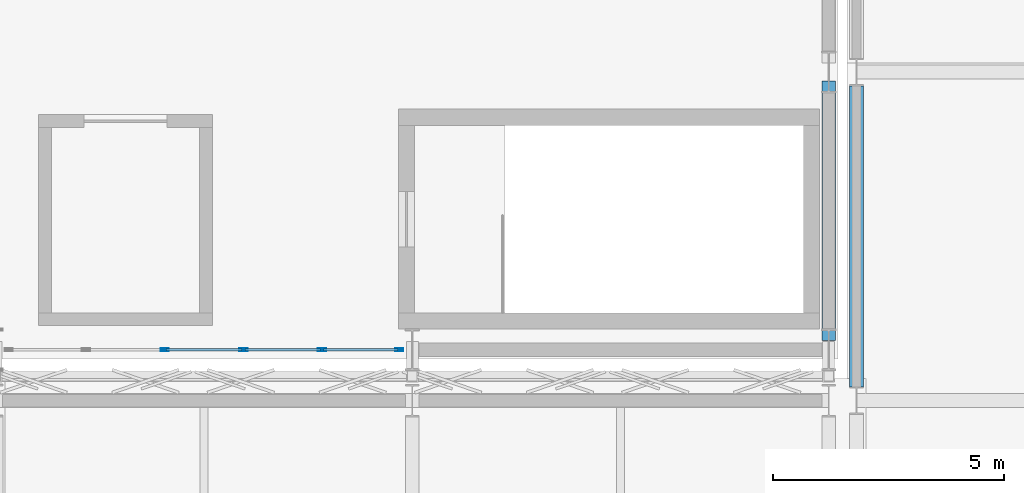
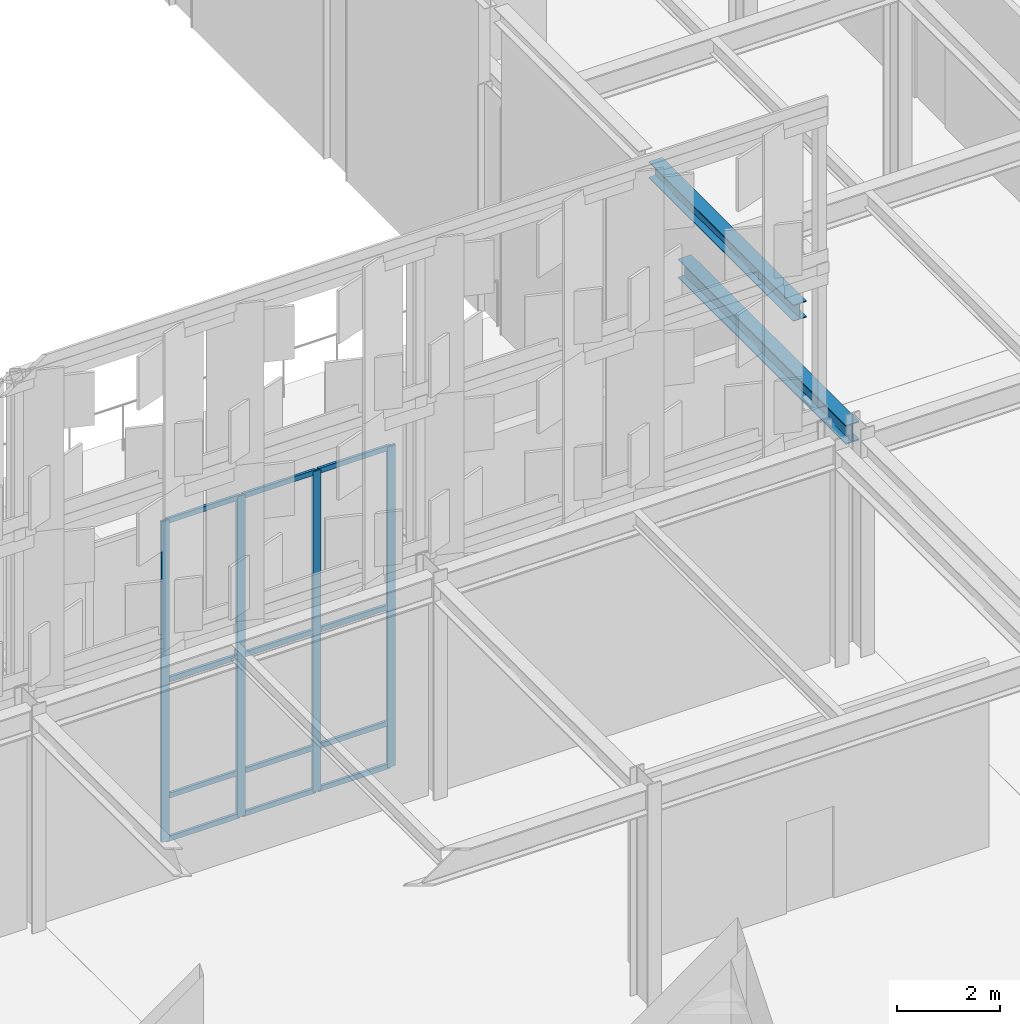
# One storey, part 73 of 210: 16 members, 2 beams, 1 element without a shape of its own.
"""IFC4 building model written with IfcOpenShell, lengths in metres."""

from ifc_helpers import new_model, si_unit, direction, frame, origin, origin_2d, place, context, subcontext, project, spatial, hollow_rectangle, i_section, extrude, material, material_profile, profile_set, type_object, element, aggregate, save


model = new_model("IFC4")

# Units and contexts
model_context = context("Model", 3, precision=1e-05, world=origin(), true_north=direction((0.0, 1.0)))
body_context = subcontext(model_context, "Body", "Model", "MODEL_VIEW")
ifc_project = project(units=[si_unit("LENGTHUNIT", "METRE"), si_unit("AREAUNIT", "SQUARE_METRE"), si_unit("VOLUMEUNIT", "CUBIC_METRE"), si_unit("PLANEANGLEUNIT", "RADIAN"), si_unit("MASSUNIT", "GRAM", prefix="KILO")], contexts=[model_context])

# Site, building, storey
site_placement = place(None, origin())
site = spatial("IfcSite", under=ifc_project, at=site_placement, CompositionType="ELEMENT")
building_placement = place(site_placement, origin())
building = spatial("IfcBuilding", under=site, at=building_placement, Name="Kaldris Quays Convention Centre", CompositionType="ELEMENT")
storey_placement = place(building_placement, frame((0.0, 0.0, 6.0)))
storey = spatial("IfcBuildingStorey", under=building, at=storey_placement, Name="L01", CompositionType="ELEMENT", Elevation=6.0)

# Curtain wall, members
ifc_material_1 = material(Name="Anodized aluminium AW-6060 and triple glazing", Category="aluminium")
curtain_wall_type = type_object("IfcCurtainWallType", Name="UNITISED CURTAIN WALL CW03", PredefinedType="NOTDEFINED", material=ifc_material_1)
curtain_wall_placement = place(storey_placement, origin())
curtain_wall = element("IfcCurtainWall", 1, at=curtain_wall_placement, inside=storey, type_object=curtain_wall_type, Name="L01 Unitised Curtain Wall CW03 13", PredefinedType="NOTDEFINED")
ifc_material_2 = material(Name="Anodized aluminium AW-6060", Category="aluminium")
ifc_material_profile_1 = material_profile(ifc_material_2, hollow_rectangle(XDim=0.06005859375, YDim=0.179931640625, WallThickness=0.0048828125, at=origin_2d()), Name="RHS 180x60x5")
ifc_profile_set_1 = profile_set([ifc_material_profile_1], Name="Anodized aluminium AW-6060")
member_type_1 = type_object("IfcMemberType", Name="CURTAIN MULLION CWM2", PredefinedType="MULLION", material=ifc_profile_set_1)
member_1_placement = place(storey_placement, frame((131.64990234375, 56.0, 0.0), z_axis=(0.0, 0.0, 1.0), x_axis=(0.0, 1.0, 0.0)))
member_1 = element("IfcMember", 2, at=member_1_placement, type_object=member_type_1, Name="CW03 mullion 3", PredefinedType="MULLION", context=body_context, shape_type="SweptSolid", body=[
    extrude(hollow_rectangle(XDim=0.06005859375, YDim=0.179931640625, WallThickness=0.0048828125, at=origin_2d()), origin(), (0.0, 0.0, 1.0), 7.60009765625),
])
member_2_placement = place(storey_placement, frame((133.35009765625, 56.0, 0.0), z_axis=(0.0, 0.0, 1.0), x_axis=(0.0, 1.0, 0.0)))
member_2 = element("IfcMember", 3, at=member_2_placement, type_object=member_type_1, Name="CW03 mullion 4", PredefinedType="MULLION", context=body_context, shape_type="SweptSolid", body=[
    extrude(hollow_rectangle(XDim=0.06005859375, YDim=0.179931640625, WallThickness=0.0048828125, at=origin_2d()), origin(), (0.0, 0.0, 1.0), 7.60009765625),
])
member_3_placement = place(storey_placement, frame((135.050048828125, 56.0, 0.0), z_axis=(0.0, 0.0, 1.0), x_axis=(0.0, 1.0, 0.0)))
member_3 = element("IfcMember", 4, at=member_3_placement, type_object=member_type_1, Name="CW03 mullion 5", PredefinedType="MULLION", context=body_context, shape_type="SweptSolid", body=[
    extrude(hollow_rectangle(XDim=0.06005859375, YDim=0.179931640625, WallThickness=0.0048828125, at=origin_2d()), origin(), (0.0, 0.0, 1.0), 7.60009765625),
])
member_4_placement = place(storey_placement, frame((136.719970703125, 56.0, 0.0), z_axis=(0.0, 0.0, 1.0), x_axis=(0.0, 1.0, 0.0)))
member_4 = element("IfcMember", 5, at=member_4_placement, type_object=member_type_1, Name="CW03 mullion 6", PredefinedType="MULLION", context=body_context, shape_type="SweptSolid", body=[
    extrude(hollow_rectangle(XDim=0.06005859375, YDim=0.179931640625, WallThickness=0.0048828125, at=origin_2d()), origin(), (0.0, 0.0, 1.0), 7.60009765625),
])
ifc_material_profile_2 = material_profile(ifc_material_2, hollow_rectangle(XDim=0.06005859375, YDim=0.1201171875, WallThickness=0.00390625, at=origin_2d()), Name="RHS 120x60x4")
ifc_profile_set_2 = profile_set([ifc_material_profile_2], Name="Anodized aluminium AW-6060")
member_type_2 = type_object("IfcMemberType", Name="CURTAIN TRANSOM CWT1", PredefinedType="USERDEFINED", material=ifc_profile_set_2)
member_5_placement = place(storey_placement, frame((131.679931640625, 56.0, 0.030029296875), z_axis=(1.0, 0.0, 0.0), x_axis=(0.0, 1.0, 0.0)))
member_5 = element("IfcMember", 6, at=member_5_placement, type_object=member_type_2, Name="CW03 transom 3.1", ObjectType="TRANSOM", PredefinedType="USERDEFINED", context=body_context, shape_type="SweptSolid", body=[
    extrude(hollow_rectangle(XDim=0.06005859375, YDim=0.1201171875, WallThickness=0.00390625, at=origin_2d()), origin(), (0.0, 0.0, 1.0), 1.64013671875),
])
member_6_placement = place(storey_placement, frame((131.679931640625, 56.0, 1.050048828125), z_axis=(1.0, 0.0, 0.0), x_axis=(0.0, 1.0, 0.0)))
member_6 = element("IfcMember", 7, at=member_6_placement, type_object=member_type_2, Name="CW03 transom 3.2", ObjectType="TRANSOM", PredefinedType="USERDEFINED", context=body_context, shape_type="SweptSolid", body=[
    extrude(hollow_rectangle(XDim=0.06005859375, YDim=0.1201171875, WallThickness=0.00390625, at=origin_2d()), origin(), (0.0, 0.0, 1.0), 1.64013671875),
])
member_7_placement = place(storey_placement, frame((131.679931640625, 56.0, 3.800048828125), z_axis=(1.0, 0.0, 0.0), x_axis=(0.0, 1.0, 0.0)))
member_7 = element("IfcMember", 8, at=member_7_placement, type_object=member_type_2, Name="CW03 transom 3.3", ObjectType="TRANSOM", PredefinedType="USERDEFINED", context=body_context, shape_type="SweptSolid", body=[
    extrude(hollow_rectangle(XDim=0.06005859375, YDim=0.1201171875, WallThickness=0.00390625, at=origin_2d()), origin(), (0.0, 0.0, 1.0), 1.64013671875),
])
member_8_placement = place(storey_placement, frame((131.679931640625, 56.0, 7.570068359375), z_axis=(1.0, 0.0, 0.0), x_axis=(0.0, 1.0, 0.0)))
member_8 = element("IfcMember", 9, at=member_8_placement, type_object=member_type_2, Name="CW03 transom 3.4", ObjectType="TRANSOM", PredefinedType="USERDEFINED", context=body_context, shape_type="SweptSolid", body=[
    extrude(hollow_rectangle(XDim=0.06005859375, YDim=0.1201171875, WallThickness=0.00390625, at=origin_2d()), origin(), (0.0, 0.0, 1.0), 1.64013671875),
])
member_9_placement = place(storey_placement, frame((133.3798828125, 56.0, 0.030029296875), z_axis=(1.0, 0.0, 0.0), x_axis=(0.0, 1.0, 0.0)))
member_9 = element("IfcMember", 10, at=member_9_placement, type_object=member_type_2, Name="CW03 transom 4.1", ObjectType="TRANSOM", PredefinedType="USERDEFINED", context=body_context, shape_type="SweptSolid", body=[
    extrude(hollow_rectangle(XDim=0.06005859375, YDim=0.1201171875, WallThickness=0.00390625, at=origin_2d()), origin(), (0.0, 0.0, 1.0), 1.64013671875),
])
member_10_placement = place(storey_placement, frame((133.3798828125, 56.0, 1.050048828125), z_axis=(1.0, 0.0, 0.0), x_axis=(0.0, 1.0, 0.0)))
member_10 = element("IfcMember", 11, at=member_10_placement, type_object=member_type_2, Name="CW03 transom 4.2", ObjectType="TRANSOM", PredefinedType="USERDEFINED", context=body_context, shape_type="SweptSolid", body=[
    extrude(hollow_rectangle(XDim=0.06005859375, YDim=0.1201171875, WallThickness=0.00390625, at=origin_2d()), origin(), (0.0, 0.0, 1.0), 1.64013671875),
])
member_11_placement = place(storey_placement, frame((133.3798828125, 56.0, 3.800048828125), z_axis=(1.0, 0.0, 0.0), x_axis=(0.0, 1.0, 0.0)))
member_11 = element("IfcMember", 12, at=member_11_placement, type_object=member_type_2, Name="CW03 transom 4.3", ObjectType="TRANSOM", PredefinedType="USERDEFINED", context=body_context, shape_type="SweptSolid", body=[
    extrude(hollow_rectangle(XDim=0.06005859375, YDim=0.1201171875, WallThickness=0.00390625, at=origin_2d()), origin(), (0.0, 0.0, 1.0), 1.64013671875),
])
member_12_placement = place(storey_placement, frame((133.3798828125, 56.0, 7.570068359375), z_axis=(1.0, 0.0, 0.0), x_axis=(0.0, 1.0, 0.0)))
member_12 = element("IfcMember", 13, at=member_12_placement, type_object=member_type_2, Name="CW03 transom 4.4", ObjectType="TRANSOM", PredefinedType="USERDEFINED", context=body_context, shape_type="SweptSolid", body=[
    extrude(hollow_rectangle(XDim=0.06005859375, YDim=0.1201171875, WallThickness=0.00390625, at=origin_2d()), origin(), (0.0, 0.0, 1.0), 1.64013671875),
])
member_13_placement = place(storey_placement, frame((135.080078125, 56.0, 0.030029296875), z_axis=(1.0, 0.0, 0.0), x_axis=(0.0, 1.0, 0.0)))
member_13 = element("IfcMember", 14, at=member_13_placement, type_object=member_type_2, Name="CW03 transom 5.1", ObjectType="TRANSOM", PredefinedType="USERDEFINED", context=body_context, shape_type="SweptSolid", body=[
    extrude(hollow_rectangle(XDim=0.06005859375, YDim=0.1201171875, WallThickness=0.00390625, at=origin_2d()), origin(), (0.0, 0.0, 1.0), 1.60986328125),
])
member_14_placement = place(storey_placement, frame((135.080078125, 56.0, 1.050048828125), z_axis=(1.0, 0.0, 0.0), x_axis=(0.0, 1.0, 0.0)))
member_14 = element("IfcMember", 15, at=member_14_placement, type_object=member_type_2, Name="CW03 transom 5.2", ObjectType="TRANSOM", PredefinedType="USERDEFINED", context=body_context, shape_type="SweptSolid", body=[
    extrude(hollow_rectangle(XDim=0.06005859375, YDim=0.1201171875, WallThickness=0.00390625, at=origin_2d()), origin(), (0.0, 0.0, 1.0), 1.60986328125),
])
member_15_placement = place(storey_placement, frame((135.080078125, 56.0, 3.800048828125), z_axis=(1.0, 0.0, 0.0), x_axis=(0.0, 1.0, 0.0)))
member_15 = element("IfcMember", 16, at=member_15_placement, type_object=member_type_2, Name="CW03 transom 5.3", ObjectType="TRANSOM", PredefinedType="USERDEFINED", context=body_context, shape_type="SweptSolid", body=[
    extrude(hollow_rectangle(XDim=0.06005859375, YDim=0.1201171875, WallThickness=0.00390625, at=origin_2d()), origin(), (0.0, 0.0, 1.0), 1.60986328125),
])
member_16_placement = place(storey_placement, frame((135.080078125, 56.0, 7.570068359375), z_axis=(1.0, 0.0, 0.0), x_axis=(0.0, 1.0, 0.0)))
member_16 = element("IfcMember", 17, at=member_16_placement, type_object=member_type_2, Name="CW03 transom 5.4", ObjectType="TRANSOM", PredefinedType="USERDEFINED", context=body_context, shape_type="SweptSolid", body=[
    extrude(hollow_rectangle(XDim=0.06005859375, YDim=0.1201171875, WallThickness=0.00390625, at=origin_2d()), origin(), (0.0, 0.0, 1.0), 1.60986328125),
])
aggregate(curtain_wall, [member_1, member_2, member_3, member_4, member_5, member_6, member_7, member_8, member_9, member_10, member_11, member_12, member_13, member_14, member_15, member_16])

# Beams
ifc_material_3 = material(Name="Steel S355J2", Category="steel")
ifc_material_profile_3 = material_profile(ifc_material_3, i_section(OverallWidth=0.300048828125, OverallDepth=0.449951171875, WebThickness=0.013916015625, FlangeThickness=0.02587890625, FilletRadius=0.027099609375, at=origin_2d()), Name="HEB 450")
ifc_profile_set_3 = profile_set([ifc_material_profile_3], Name="Steel S355J2")
beam_type_1 = type_object("IfcBeamType", Name="STRUCTURAL BEAM BM07", PredefinedType="BEAM", material=ifc_profile_set_3)
beam_1_placement = place(storey_placement, frame((146.60009765625, 55.194091796875, 4.91796875), z_axis=(0.0, 1.0, 0.0), x_axis=(-1.0, 0.0, 0.0)))
element("IfcBeam", 18, at=beam_1_placement, inside=storey, type_object=beam_type_1, Name="L01 Girder BM07 68", PredefinedType="BEAM", context=body_context, shape_type="SweptSolid", body=[
    extrude(i_section(OverallWidth=0.300048828125, OverallDepth=0.449951171875, WebThickness=0.013916015625, FlangeThickness=0.02587890625, FilletRadius=0.027099609375, at=origin_2d()), origin(), (0.0, 0.0, 1.0), 6.511962890625),
])
ifc_material_profile_4 = material_profile(ifc_material_3, i_section(OverallWidth=0.300048828125, OverallDepth=0.389892578125, WebThickness=0.010986328125, FlangeThickness=0.01904296875, FilletRadius=0.027099609375, at=origin_2d()), Name="HEA 400")
ifc_profile_set_4 = profile_set([ifc_material_profile_4], Name="Steel S355J2")
beam_type_2 = type_object("IfcBeamType", Name="STRUCTURAL BEAM SP01", PredefinedType="SPANDREL", material=ifc_profile_set_4)
beam_2_placement = place(storey_placement, frame((146.0, 56.195068359375, 7.405029296875), z_axis=(0.0, 1.0, 0.0), x_axis=(-1.0, 0.0, 0.0)))
element("IfcBeam", 19, at=beam_2_placement, inside=storey, type_object=beam_type_2, Name="L01 Perimeter Wall-Bearing Spandrel SP01 55", PredefinedType="SPANDREL", context=body_context, shape_type="SweptSolid", body=[
    extrude(i_section(OverallWidth=0.300048828125, OverallDepth=0.389892578125, WebThickness=0.010986328125, FlangeThickness=0.01904296875, FilletRadius=0.027099609375, at=origin_2d()), origin(), (0.0, 0.0, 1.0), 5.60986328125),
])

save(model, "model.ifc")
